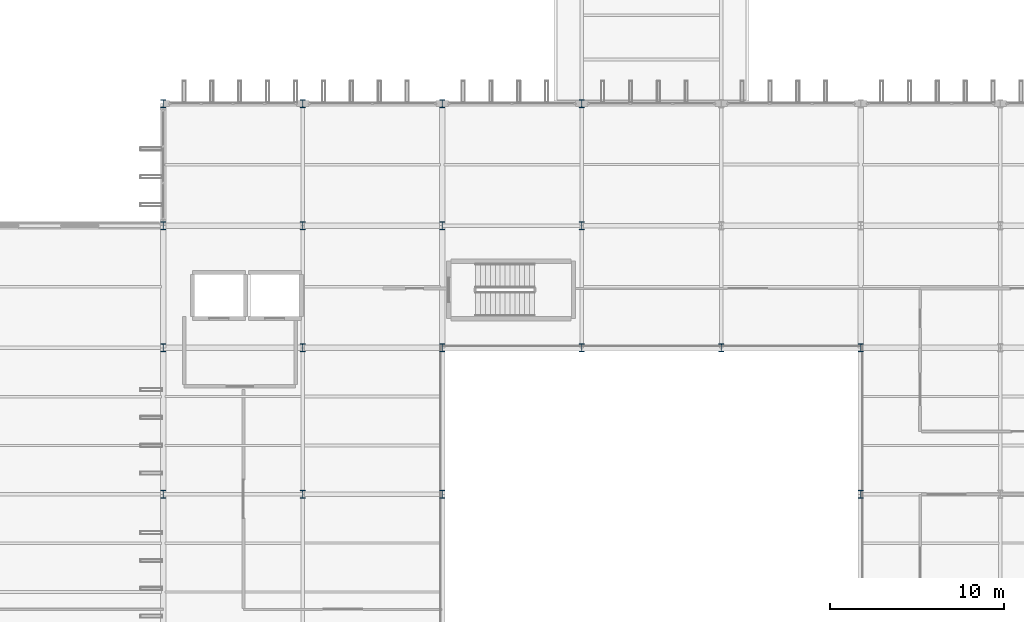
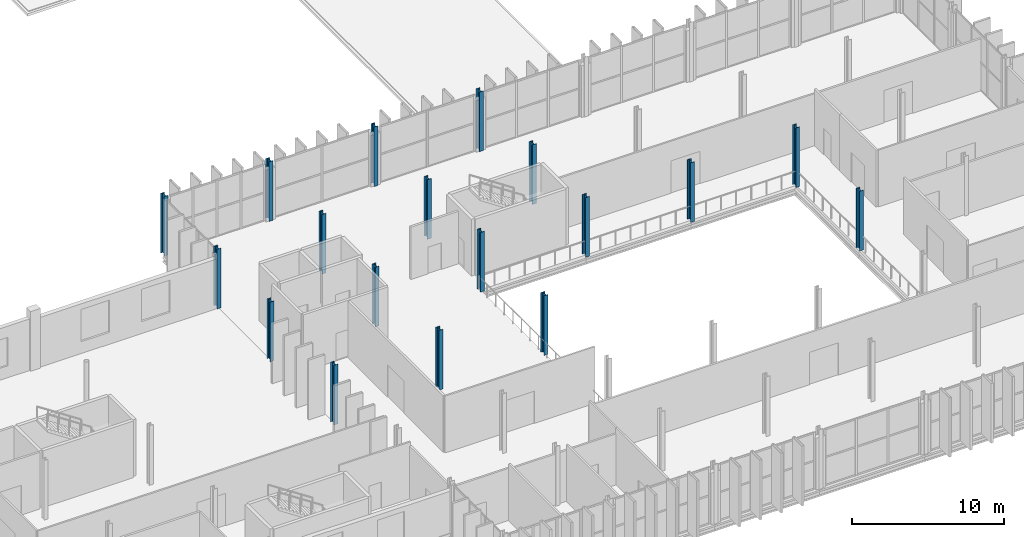
# One storey, part 9 of 120: 18 columns.
"""IFC4 building model written with IfcOpenShell, lengths in metres."""

from ifc_helpers import new_model, si_unit, direction, frame, origin, origin_2d, place, context, subcontext, project, spatial, i_section, extrude, material, material_profile, profile_set, type_object, element, save


model = new_model("IFC4")

# Units and contexts
model_context = context("Model", 3, precision=1e-05, world=origin(), true_north=direction((0.0, 1.0)))
body_context = subcontext(model_context, "Body", "Model", "MODEL_VIEW")
ifc_project = project(units=[si_unit("LENGTHUNIT", "METRE"), si_unit("AREAUNIT", "SQUARE_METRE"), si_unit("VOLUMEUNIT", "CUBIC_METRE"), si_unit("PLANEANGLEUNIT", "RADIAN"), si_unit("MASSUNIT", "GRAM", prefix="KILO")], contexts=[model_context])

# Site, building, storey
site_placement = place(None, origin())
site = spatial("IfcSite", under=ifc_project, at=site_placement, CompositionType="ELEMENT")
building_placement = place(site_placement, origin())
building = spatial("IfcBuilding", under=site, at=building_placement, Name="Vekula Escarpment Museum", CompositionType="ELEMENT")
storey_placement = place(building_placement, frame((0.0, 0.0, 13.199951171875)))
storey = spatial("IfcBuildingStorey", under=building, at=storey_placement, Name="L03", CompositionType="ELEMENT", Elevation=13.199951171875)

# Columns
ifc_material = material(Name="Steel S355", Category="steel")
ifc_material_profile = material_profile(ifc_material, i_section(OverallWidth=0.300048828125, OverallDepth=0.449951171875, WebThickness=0.013916015625, FlangeThickness=0.02587890625, FilletRadius=0.027099609375, at=origin_2d()), Name="HEB 450")
ifc_profile_set = profile_set([ifc_material_profile], Name="Steel S355")
column_type = type_object("IfcColumnType", Name="COL-S-HEB450", PredefinedType="COLUMN", material=ifc_profile_set)
for number, where, z_axis, x_axis, name in (
    (1, (70.0, 68.0, 0.0), (0.0, 0.0, 1.0), (1.0, 0.0, 0.0), "Column L03 (70.0,68.0)"),
    (2, (70.0, 76.39990234375, 0.0), (0.0, 0.0, 1.0), (1.0, 0.0, 0.0), "Column L03 (70.0,76.4)"),
    (3, (70.0, 83.39990234375, 0.0), (0.0, 0.0, 1.0), (1.0, 0.0, 0.0), "Column L03 (70.0,83.4)"),
    (4, (70.0, 90.39990234375, 0.0), (0.0, 0.0, 1.0), (1.0, 0.0, 0.0), "Column L03 (70.0,90.4)"),
    (5, (78.0, 68.0, 0.0), (0.0, 0.0, 1.0), (1.0, 0.0, 0.0), "Column L03 (78.0,68.0)"),
    (6, (78.0, 76.39990234375, 0.0), (0.0, 0.0, 1.0), (1.0, 0.0, 0.0), "Column L03 (78.0,76.4)"),
    (7, (78.0, 83.39990234375, 0.0), (0.0, 0.0, 1.0), (1.0, 0.0, 0.0), "Column L03 (78.0,83.4)"),
    (8, (78.0, 90.39990234375, 0.0), (0.0, 0.0, 1.0), (1.0, 0.0, 0.0), "Column L03 (78.0,90.4)"),
    (9, (86.0, 68.0, 0.0), (0.0, 0.0, 1.0), (1.0, 0.0, 0.0), "Column L03 (86.0,68.0)"),
    (10, (86.0, 76.39990234375, 0.0), (0.0, 0.0, 1.0), (1.0, 0.0, 0.0), "Column L03 (86.0,76.4)"),
    (11, (86.0, 83.39990234375, 0.0), (0.0, 0.0, 1.0), (1.0, 0.0, 0.0), "Column L03 (86.0,83.4)"),
    (12, (86.0, 90.39990234375, 0.0), (0.0, 0.0, 1.0), (1.0, 0.0, 0.0), "Column L03 (86.0,90.4)"),
    (13, (94.0, 76.39990234375, 0.0), (0.0, 0.0, 1.0), (1.0, 0.0, 0.0), "Column L03 (94.0,76.4)"),
    (14, (94.0, 83.39990234375, 0.0), (0.0, 0.0, 1.0), (1.0, 0.0, 0.0), "Column L03 (94.0,83.4)"),
    (15, (94.0, 90.39990234375, 0.0), (0.0, 0.0, 1.0), (1.0, 0.0, 0.0), "Column L03 (94.0,90.4)"),
    (16, (102.0, 76.39990234375, 0.0), (0.0, 0.0, 1.0), (1.0, 0.0, 0.0), "Column L03 (102.0,76.4)"),
    (17, (110.0, 68.0, 0.0), (0.0, 0.0, 1.0), (1.0, 0.0, 0.0), "Column L03 (110.0,68.0)"),
    (18, (110.0, 76.39990234375, 0.0), (0.0, 0.0, 1.0), (1.0, 0.0, 0.0), "Column L03 (110.0,76.4)"),
):
    element("IfcColumn", number, at=place(storey_placement, frame(where, z_axis=z_axis, x_axis=x_axis)), inside=storey, type_object=column_type, Name=name, PredefinedType="COLUMN", context=body_context, shape_type="SweptSolid", body=[
        extrude(i_section(OverallWidth=0.300048828125, OverallDepth=0.449951171875, WebThickness=0.013916015625, FlangeThickness=0.02587890625, FilletRadius=0.027099609375, at=origin_2d()), origin(), (0.0, 0.0, 1.0), 4.800048828125),
    ])

save(model, "model.ifc")
